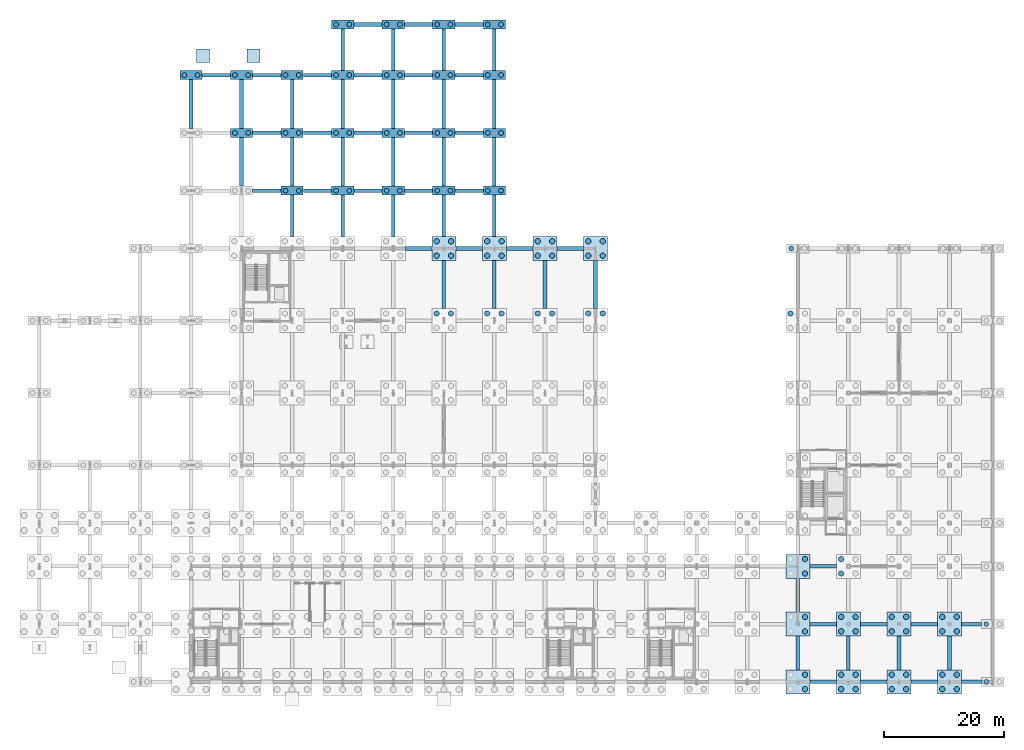
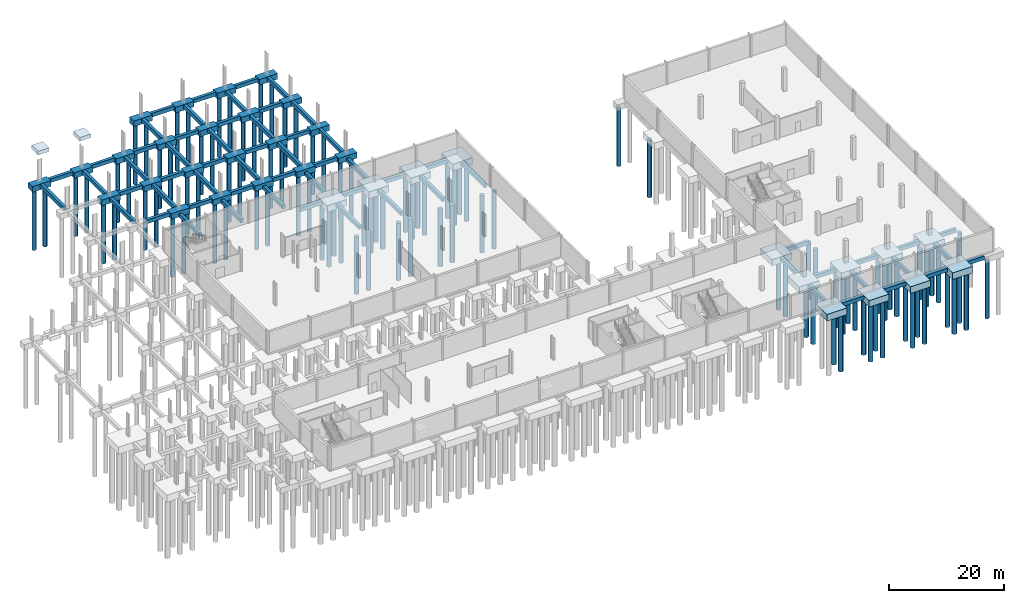
# One storey, part 5 of 29: 104 piles, 100 footings.
"""IFC4 building model written with IfcOpenShell, lengths in metres."""

from ifc_helpers import new_model, si_unit, direction, frame, origin, origin_2d, place, context, subcontext, project, spatial, rectangle, circle, extrude, material, material_profile, profile_set, type_object, element, save


model = new_model("IFC4")

# Units and contexts
model_context = context("Model", 3, precision=1e-05, world=origin(), true_north=direction((0.0, 1.0)))
body_context = subcontext(model_context, "Body", "Model", "MODEL_VIEW")
ifc_project = project(units=[si_unit("LENGTHUNIT", "METRE"), si_unit("AREAUNIT", "SQUARE_METRE"), si_unit("VOLUMEUNIT", "CUBIC_METRE"), si_unit("PLANEANGLEUNIT", "RADIAN"), si_unit("MASSUNIT", "GRAM", prefix="KILO")], contexts=[model_context])

# Site, building, storey
site_placement = place(None, origin())
site = spatial("IfcSite", under=ifc_project, at=site_placement, CompositionType="ELEMENT")
building_placement = place(site_placement, origin())
building = spatial("IfcBuilding", under=site, at=building_placement, Name="Veltarok Museum of Natural Sciences", CompositionType="ELEMENT")
storey_placement = place(building_placement, frame((0.0, 0.0, -4.800048828125)))
storey = spatial("IfcBuildingStorey", under=building, at=storey_placement, Name="B1", CompositionType="ELEMENT", Elevation=-4.800048828125)

# Piles
ifc_material = material(Name="Concrete C35/45", Category="concrete")
ifc_material_profile_1 = material_profile(ifc_material, circle(Radius=0.39990234375, at=origin_2d()), Name="BP D800")
ifc_profile_set_1 = profile_set([ifc_material_profile_1], Name="Concrete C35/45")
pile_type_1 = type_object("IfcPileType", Name="Bored Bedrock Pile D800", PredefinedType="BORED", material=ifc_profile_set_1)
for number, where, z_axis, x_axis, name in (
    (1, (30.5, 100.800048828125, -1.099853515625), (0.0, 0.0, -1.0), (1.0, 0.0, 0.0), "Bored Pile BP-800 97"),
    (2, (32.699951171875, 100.800048828125, -1.099853515625), (0.0, 0.0, -1.0), (1.0, 0.0, 0.0), "Bored Pile BP-800 98"),
    (3, (38.89990234375, 91.199951171875, -1.099853515625), (0.0, 0.0, -1.0), (1.0, 0.0, 0.0), "Bored Pile BP-800 139"),
    (4, (41.10009765625, 91.199951171875, -1.099853515625), (0.0, 0.0, -1.0), (1.0, 0.0, 0.0), "Bored Pile BP-800 140"),
    (5, (38.89990234375, 100.800048828125, -1.099853515625), (0.0, 0.0, -1.0), (1.0, 0.0, 0.0), "Bored Pile BP-800 141"),
    (6, (41.10009765625, 100.800048828125, -1.099853515625), (0.0, 0.0, -1.0), (1.0, 0.0, 0.0), "Bored Pile BP-800 142"),
    (7, (47.300048828125, 81.60009765625, -1.099853515625), (0.0, 0.0, -1.0), (1.0, 0.0, 0.0), "Bored Pile BP-800 181"),
    (8, (49.5, 81.60009765625, -1.099853515625), (0.0, 0.0, -1.0), (1.0, 0.0, 0.0), "Bored Pile BP-800 182"),
    (9, (47.300048828125, 91.199951171875, -1.099853515625), (0.0, 0.0, -1.0), (1.0, 0.0, 0.0), "Bored Pile BP-800 183"),
    (10, (49.5, 91.199951171875, -1.099853515625), (0.0, 0.0, -1.0), (1.0, 0.0, 0.0), "Bored Pile BP-800 184"),
    (11, (47.300048828125, 100.800048828125, -1.099853515625), (0.0, 0.0, -1.0), (1.0, 0.0, 0.0), "Bored Pile BP-800 185"),
    (12, (49.5, 100.800048828125, -1.099853515625), (0.0, 0.0, -1.0), (1.0, 0.0, 0.0), "Bored Pile BP-800 186"),
    (13, (55.699951171875, 81.60009765625, -1.099853515625), (0.0, 0.0, -1.0), (1.0, 0.0, 0.0), "Bored Pile BP-800 225"),
    (14, (57.89990234375, 81.60009765625, -1.099853515625), (0.0, 0.0, -1.0), (1.0, 0.0, 0.0), "Bored Pile BP-800 226"),
    (15, (55.699951171875, 91.199951171875, -1.099853515625), (0.0, 0.0, -1.0), (1.0, 0.0, 0.0), "Bored Pile BP-800 227"),
    (16, (57.89990234375, 91.199951171875, -1.099853515625), (0.0, 0.0, -1.0), (1.0, 0.0, 0.0), "Bored Pile BP-800 228"),
    (17, (55.699951171875, 100.800048828125, -1.099853515625), (0.0, 0.0, -1.0), (1.0, 0.0, 0.0), "Bored Pile BP-800 229"),
    (18, (57.89990234375, 100.800048828125, -1.099853515625), (0.0, 0.0, -1.0), (1.0, 0.0, 0.0), "Bored Pile BP-800 230"),
    (19, (55.699951171875, 109.199951171875, -1.099853515625), (0.0, 0.0, -1.0), (1.0, 0.0, 0.0), "Bored Pile BP-800 231"),
    (20, (57.89990234375, 109.199951171875, -1.099853515625), (0.0, 0.0, -1.0), (1.0, 0.0, 0.0), "Bored Pile BP-800 232"),
    (21, (64.10009765625, 81.60009765625, -1.099853515625), (0.0, 0.0, -1.0), (1.0, 0.0, 0.0), "Bored Pile BP-800 271"),
    (22, (66.300048828125, 81.60009765625, -1.099853515625), (0.0, 0.0, -1.0), (1.0, 0.0, 0.0), "Bored Pile BP-800 272"),
    (23, (64.10009765625, 91.199951171875, -1.099853515625), (0.0, 0.0, -1.0), (1.0, 0.0, 0.0), "Bored Pile BP-800 273"),
    (24, (66.300048828125, 91.199951171875, -1.099853515625), (0.0, 0.0, -1.0), (1.0, 0.0, 0.0), "Bored Pile BP-800 274"),
    (25, (64.10009765625, 100.800048828125, -1.099853515625), (0.0, 0.0, -1.0), (1.0, 0.0, 0.0), "Bored Pile BP-800 275"),
    (26, (66.300048828125, 100.800048828125, -1.099853515625), (0.0, 0.0, -1.0), (1.0, 0.0, 0.0), "Bored Pile BP-800 276"),
    (27, (64.10009765625, 109.199951171875, -1.099853515625), (0.0, 0.0, -1.0), (1.0, 0.0, 0.0), "Bored Pile BP-800 277"),
    (28, (66.300048828125, 109.199951171875, -1.099853515625), (0.0, 0.0, -1.0), (1.0, 0.0, 0.0), "Bored Pile BP-800 278"),
    (29, (72.5, 81.60009765625, -1.099853515625), (0.0, 0.0, -1.0), (1.0, 0.0, 0.0), "Bored Pile BP-800 317"),
    (30, (74.699951171875, 81.60009765625, -1.099853515625), (0.0, 0.0, -1.0), (1.0, 0.0, 0.0), "Bored Pile BP-800 318"),
    (31, (72.5, 91.199951171875, -1.099853515625), (0.0, 0.0, -1.0), (1.0, 0.0, 0.0), "Bored Pile BP-800 319"),
    (32, (74.699951171875, 91.199951171875, -1.099853515625), (0.0, 0.0, -1.0), (1.0, 0.0, 0.0), "Bored Pile BP-800 320"),
    (33, (72.5, 100.800048828125, -1.099853515625), (0.0, 0.0, -1.0), (1.0, 0.0, 0.0), "Bored Pile BP-800 321"),
    (34, (74.699951171875, 100.800048828125, -1.099853515625), (0.0, 0.0, -1.0), (1.0, 0.0, 0.0), "Bored Pile BP-800 322"),
    (35, (72.5, 109.199951171875, -1.099853515625), (0.0, 0.0, -1.0), (1.0, 0.0, 0.0), "Bored Pile BP-800 323"),
    (36, (74.699951171875, 109.199951171875, -1.099853515625), (0.0, 0.0, -1.0), (1.0, 0.0, 0.0), "Bored Pile BP-800 324"),
    (37, (80.89990234375, 81.60009765625, -1.099853515625), (0.0, 0.0, -1.0), (1.0, 0.0, 0.0), "Bored Pile BP-800 363"),
    (38, (83.10009765625, 81.60009765625, -1.099853515625), (0.0, 0.0, -1.0), (1.0, 0.0, 0.0), "Bored Pile BP-800 364"),
    (39, (80.89990234375, 91.199951171875, -1.099853515625), (0.0, 0.0, -1.0), (1.0, 0.0, 0.0), "Bored Pile BP-800 365"),
    (40, (83.10009765625, 91.199951171875, -1.099853515625), (0.0, 0.0, -1.0), (1.0, 0.0, 0.0), "Bored Pile BP-800 366"),
    (41, (80.89990234375, 100.800048828125, -1.099853515625), (0.0, 0.0, -1.0), (1.0, 0.0, 0.0), "Bored Pile BP-800 367"),
    (42, (83.10009765625, 100.800048828125, -1.099853515625), (0.0, 0.0, -1.0), (1.0, 0.0, 0.0), "Bored Pile BP-800 368"),
    (43, (80.89990234375, 109.199951171875, -1.099853515625), (0.0, 0.0, -1.0), (1.0, 0.0, 0.0), "Bored Pile BP-800 369"),
    (44, (83.10009765625, 109.199951171875, -1.099853515625), (0.0, 0.0, -1.0), (1.0, 0.0, 0.0), "Bored Pile BP-800 370"),
):
    element("IfcPile", number, at=place(storey_placement, frame(where, z_axis=z_axis, x_axis=x_axis)), inside=storey, type_object=pile_type_1, Name=name, PredefinedType="BORED", context=body_context, shape_type="SweptSolid", body=[
        extrude(circle(Radius=0.39990234375, at=origin_2d()), origin(), (0.0, 0.0, 1.0), 12.89990234375),
    ])
for number, where, z_axis, x_axis, name in (
    (45, (131.300048828125, 72.0, -1.599853515625), (0.0, 0.0, -1.0), (1.0, 0.0, 0.0), "Bored Pile BP-800 529"),
    (46, (163.699951171875, 0.0, -1.599853515625), (0.0, 0.0, -1.0), (1.0, 0.0, 0.0), "Bored Pile BP-800 621"),
    (47, (163.699951171875, 9.60009765625, -1.599853515625), (0.0, 0.0, -1.0), (1.0, 0.0, 0.0), "Bored Pile BP-800 623"),
):
    element("IfcPile", number, at=place(storey_placement, frame(where, z_axis=z_axis, x_axis=x_axis)), inside=storey, type_object=pile_type_1, Name=name, PredefinedType="BORED", context=body_context, shape_type="SweptSolid", body=[
        extrude(circle(Radius=0.39990234375, at=origin_2d()), origin(), (0.0, 0.0, 1.0), 12.39990234375),
    ])
ifc_material_profile_2 = material_profile(ifc_material, circle(Radius=0.449951171875, at=origin_2d()), Name="BP D900")
ifc_profile_set_2 = profile_set([ifc_material_profile_2], Name="Concrete C35/45")
pile_type_2 = type_object("IfcPileType", Name="Bored Bedrock Pile D900", PredefinedType="BORED", material=ifc_profile_set_2)
for number, where, z_axis, x_axis, name in (
    (48, (72.39990234375, 61.199951171875, -1.800048828125), (0.0, 0.0, -1.0), (1.0, 0.0, 0.0), "Bored Pile BP-900 311"),
    (49, (74.800048828125, 61.199951171875, -1.800048828125), (0.0, 0.0, -1.0), (1.0, 0.0, 0.0), "Bored Pile BP-900 312"),
    (50, (72.39990234375, 70.800048828125, -1.800048828125), (0.0, 0.0, -1.0), (1.0, 0.0, 0.0), "Bored Pile BP-900 313"),
    (51, (74.800048828125, 70.800048828125, -1.800048828125), (0.0, 0.0, -1.0), (1.0, 0.0, 0.0), "Bored Pile BP-900 314"),
    (52, (72.39990234375, 73.199951171875, -1.800048828125), (0.0, 0.0, -1.0), (1.0, 0.0, 0.0), "Bored Pile BP-900 315"),
    (53, (74.800048828125, 73.199951171875, -1.800048828125), (0.0, 0.0, -1.0), (1.0, 0.0, 0.0), "Bored Pile BP-900 316"),
    (54, (80.800048828125, 61.199951171875, -1.800048828125), (0.0, 0.0, -1.0), (1.0, 0.0, 0.0), "Bored Pile BP-900 357"),
    (55, (83.199951171875, 61.199951171875, -1.800048828125), (0.0, 0.0, -1.0), (1.0, 0.0, 0.0), "Bored Pile BP-900 358"),
    (56, (80.800048828125, 70.800048828125, -1.800048828125), (0.0, 0.0, -1.0), (1.0, 0.0, 0.0), "Bored Pile BP-900 359"),
    (57, (83.199951171875, 70.800048828125, -1.800048828125), (0.0, 0.0, -1.0), (1.0, 0.0, 0.0), "Bored Pile BP-900 360"),
    (58, (80.800048828125, 73.199951171875, -1.800048828125), (0.0, 0.0, -1.0), (1.0, 0.0, 0.0), "Bored Pile BP-900 361"),
    (59, (83.199951171875, 73.199951171875, -1.800048828125), (0.0, 0.0, -1.0), (1.0, 0.0, 0.0), "Bored Pile BP-900 362"),
    (60, (89.199951171875, 61.199951171875, -1.800048828125), (0.0, 0.0, -1.0), (1.0, 0.0, 0.0), "Bored Pile BP-900 403"),
    (61, (91.60009765625, 61.199951171875, -1.800048828125), (0.0, 0.0, -1.0), (1.0, 0.0, 0.0), "Bored Pile BP-900 404"),
    (62, (89.199951171875, 70.800048828125, -1.800048828125), (0.0, 0.0, -1.0), (1.0, 0.0, 0.0), "Bored Pile BP-900 405"),
    (63, (91.60009765625, 70.800048828125, -1.800048828125), (0.0, 0.0, -1.0), (1.0, 0.0, 0.0), "Bored Pile BP-900 406"),
    (64, (89.199951171875, 73.199951171875, -1.800048828125), (0.0, 0.0, -1.0), (1.0, 0.0, 0.0), "Bored Pile BP-900 407"),
    (65, (91.60009765625, 73.199951171875, -1.800048828125), (0.0, 0.0, -1.0), (1.0, 0.0, 0.0), "Bored Pile BP-900 408"),
    (66, (97.60009765625, 61.199951171875, -1.800048828125), (0.0, 0.0, -1.0), (1.0, 0.0, 0.0), "Bored Pile BP-900 441"),
    (67, (100.0, 61.199951171875, -1.800048828125), (0.0, 0.0, -1.0), (1.0, 0.0, 0.0), "Bored Pile BP-900 442"),
    (68, (97.60009765625, 70.800048828125, -1.800048828125), (0.0, 0.0, -1.0), (1.0, 0.0, 0.0), "Bored Pile BP-900 443"),
    (69, (100.0, 70.800048828125, -1.800048828125), (0.0, 0.0, -1.0), (1.0, 0.0, 0.0), "Bored Pile BP-900 444"),
    (70, (97.60009765625, 73.199951171875, -1.800048828125), (0.0, 0.0, -1.0), (1.0, 0.0, 0.0), "Bored Pile BP-900 445"),
    (71, (100.0, 73.199951171875, -1.800048828125), (0.0, 0.0, -1.0), (1.0, 0.0, 0.0), "Bored Pile BP-900 446"),
    (72, (133.60009765625, -1.199951171875, -1.800048828125), (0.0, 0.0, -1.0), (1.0, 0.0, 0.0), "Bored Pile BP-900 502"),
    (73, (133.60009765625, 1.199951171875, -1.800048828125), (0.0, 0.0, -1.0), (1.0, 0.0, 0.0), "Bored Pile BP-900 504"),
    (74, (133.60009765625, 8.39990234375, -1.800048828125), (0.0, 0.0, -1.0), (1.0, 0.0, 0.0), "Bored Pile BP-900 506"),
    (75, (133.60009765625, 10.800048828125, -1.800048828125), (0.0, 0.0, -1.0), (1.0, 0.0, 0.0), "Bored Pile BP-900 508"),
    (76, (133.60009765625, 18.0, -1.800048828125), (0.0, 0.0, -1.0), (1.0, 0.0, 0.0), "Bored Pile BP-900 510"),
    (77, (133.60009765625, 20.39990234375, -1.800048828125), (0.0, 0.0, -1.0), (1.0, 0.0, 0.0), "Bored Pile BP-900 512"),
    (78, (131.199951171875, 61.199951171875, -1.800048828125), (0.0, 0.0, -1.0), (1.0, 0.0, 0.0), "Bored Pile BP-900 527"),
    (79, (139.60009765625, -1.199951171875, -1.800048828125), (0.0, 0.0, -1.0), (1.0, 0.0, 0.0), "Bored Pile BP-900 531"),
    (80, (142.0, -1.199951171875, -1.800048828125), (0.0, 0.0, -1.0), (1.0, 0.0, 0.0), "Bored Pile BP-900 532"),
    (81, (139.60009765625, 1.199951171875, -1.800048828125), (0.0, 0.0, -1.0), (1.0, 0.0, 0.0), "Bored Pile BP-900 533"),
    (82, (142.0, 1.199951171875, -1.800048828125), (0.0, 0.0, -1.0), (1.0, 0.0, 0.0), "Bored Pile BP-900 534"),
    (83, (139.60009765625, 8.39990234375, -1.800048828125), (0.0, 0.0, -1.0), (1.0, 0.0, 0.0), "Bored Pile BP-900 535"),
    (84, (142.0, 8.39990234375, -1.800048828125), (0.0, 0.0, -1.0), (1.0, 0.0, 0.0), "Bored Pile BP-900 536"),
    (85, (139.60009765625, 10.800048828125, -1.800048828125), (0.0, 0.0, -1.0), (1.0, 0.0, 0.0), "Bored Pile BP-900 537"),
    (86, (142.0, 10.800048828125, -1.800048828125), (0.0, 0.0, -1.0), (1.0, 0.0, 0.0), "Bored Pile BP-900 538"),
    (87, (139.60009765625, 18.0, -1.800048828125), (0.0, 0.0, -1.0), (1.0, 0.0, 0.0), "Bored Pile BP-900 539"),
    (88, (139.60009765625, 20.39990234375, -1.800048828125), (0.0, 0.0, -1.0), (1.0, 0.0, 0.0), "Bored Pile BP-900 541"),
    (89, (148.0, -1.199951171875, -1.800048828125), (0.0, 0.0, -1.0), (1.0, 0.0, 0.0), "Bored Pile BP-900 561"),
    (90, (150.39990234375, -1.199951171875, -1.800048828125), (0.0, 0.0, -1.0), (1.0, 0.0, 0.0), "Bored Pile BP-900 562"),
    (91, (148.0, 1.199951171875, -1.800048828125), (0.0, 0.0, -1.0), (1.0, 0.0, 0.0), "Bored Pile BP-900 563"),
    (92, (150.39990234375, 1.199951171875, -1.800048828125), (0.0, 0.0, -1.0), (1.0, 0.0, 0.0), "Bored Pile BP-900 564"),
    (93, (148.0, 8.39990234375, -1.800048828125), (0.0, 0.0, -1.0), (1.0, 0.0, 0.0), "Bored Pile BP-900 565"),
    (94, (150.39990234375, 8.39990234375, -1.800048828125), (0.0, 0.0, -1.0), (1.0, 0.0, 0.0), "Bored Pile BP-900 566"),
    (95, (148.0, 10.800048828125, -1.800048828125), (0.0, 0.0, -1.0), (1.0, 0.0, 0.0), "Bored Pile BP-900 567"),
    (96, (150.39990234375, 10.800048828125, -1.800048828125), (0.0, 0.0, -1.0), (1.0, 0.0, 0.0), "Bored Pile BP-900 568"),
    (97, (156.39990234375, -1.199951171875, -1.800048828125), (0.0, 0.0, -1.0), (1.0, 0.0, 0.0), "Bored Pile BP-900 591"),
    (98, (158.800048828125, -1.199951171875, -1.800048828125), (0.0, 0.0, -1.0), (1.0, 0.0, 0.0), "Bored Pile BP-900 592"),
    (99, (156.39990234375, 1.199951171875, -1.800048828125), (0.0, 0.0, -1.0), (1.0, 0.0, 0.0), "Bored Pile BP-900 593"),
    (100, (158.800048828125, 1.199951171875, -1.800048828125), (0.0, 0.0, -1.0), (1.0, 0.0, 0.0), "Bored Pile BP-900 594"),
    (101, (156.39990234375, 8.39990234375, -1.800048828125), (0.0, 0.0, -1.0), (1.0, 0.0, 0.0), "Bored Pile BP-900 595"),
    (102, (158.800048828125, 8.39990234375, -1.800048828125), (0.0, 0.0, -1.0), (1.0, 0.0, 0.0), "Bored Pile BP-900 596"),
    (103, (156.39990234375, 10.800048828125, -1.800048828125), (0.0, 0.0, -1.0), (1.0, 0.0, 0.0), "Bored Pile BP-900 597"),
    (104, (158.800048828125, 10.800048828125, -1.800048828125), (0.0, 0.0, -1.0), (1.0, 0.0, 0.0), "Bored Pile BP-900 598"),
):
    element("IfcPile", number, at=place(storey_placement, frame(where, z_axis=z_axis, x_axis=x_axis)), inside=storey, type_object=pile_type_2, Name=name, PredefinedType="BORED", context=body_context, shape_type="SweptSolid", body=[
        extrude(circle(Radius=0.449951171875, at=origin_2d()), origin(), (0.0, 0.0, 1.0), 12.199951171875),
    ])

# Footings
footing_type_1 = type_object("IfcFootingType", Name="Canopy Pad Footing 2200x2200x800", PredefinedType="PAD_FOOTING", material=ifc_material)
for number, where, z_axis, x_axis, name in (
    (105, (33.60009765625, 104.0, 4.0), (0.0, 0.0, 1.0), (1.0, 0.0, 0.0), "Canopy Pad Footing CN-N1"),
    (106, (42.0, 104.0, 4.0), (0.0, 0.0, 1.0), (1.0, 0.0, 0.0), "Canopy Pad Footing CN-N2"),
):
    element("IfcFooting", number, at=place(storey_placement, frame(where, z_axis=z_axis, x_axis=x_axis)), inside=storey, type_object=footing_type_1, Name=name, PredefinedType="PAD_FOOTING", context=body_context, shape_type="SweptSolid", body=[
        extrude(rectangle(XDim=2.199951171875, YDim=2.199951171875, at=origin_2d()), origin(), (0.0, 0.0, 1.0), 0.800048828125),
    ])
footing_type_2 = type_object("IfcFootingType", Name="Four-Pile Cap 4000x4000x1400", PredefinedType="PILE_CAP", material=ifc_material)
for number, where, z_axis, x_axis, name in (
    (107, (73.60009765625, 72.0, -1.89990234375), (0.0, 0.0, 1.0), (1.0, 0.0, 0.0), "Pile Cap PC-4P 9/H"),
    (108, (82.0, 72.0, -1.89990234375), (0.0, 0.0, 1.0), (1.0, 0.0, 0.0), "Pile Cap PC-4P 10/H"),
    (109, (90.39990234375, 72.0, -1.89990234375), (0.0, 0.0, 1.0), (1.0, 0.0, 0.0), "Pile Cap PC-4P 11/H"),
    (110, (98.800048828125, 72.0, -1.89990234375), (0.0, 0.0, 1.0), (1.0, 0.0, 0.0), "Pile Cap PC-4P 12/H"),
    (111, (132.39990234375, 0.0, -1.89990234375), (0.0, 0.0, 1.0), (1.0, 0.0, 0.0), "Pile Cap PC-4P 16/A"),
    (112, (132.39990234375, 9.60009765625, -1.89990234375), (0.0, 0.0, 1.0), (1.0, 0.0, 0.0), "Pile Cap PC-4P 16/B"),
    (113, (132.39990234375, 19.199951171875, -1.89990234375), (0.0, 0.0, 1.0), (1.0, 0.0, 0.0), "Pile Cap PC-4P 16/C"),
    (114, (140.800048828125, 0.0, -1.89990234375), (0.0, 0.0, 1.0), (1.0, 0.0, 0.0), "Pile Cap PC-4P 17/A"),
    (115, (140.800048828125, 9.60009765625, -1.89990234375), (0.0, 0.0, 1.0), (1.0, 0.0, 0.0), "Pile Cap PC-4P 17/B"),
    (116, (149.199951171875, 0.0, -1.89990234375), (0.0, 0.0, 1.0), (1.0, 0.0, 0.0), "Pile Cap PC-4P 18/A"),
    (117, (149.199951171875, 9.60009765625, -1.89990234375), (0.0, 0.0, 1.0), (1.0, 0.0, 0.0), "Pile Cap PC-4P 18/B"),
    (118, (157.60009765625, 0.0, -1.89990234375), (0.0, 0.0, 1.0), (1.0, 0.0, 0.0), "Pile Cap PC-4P 19/A"),
    (119, (157.60009765625, 9.60009765625, -1.89990234375), (0.0, 0.0, 1.0), (1.0, 0.0, 0.0), "Pile Cap PC-4P 19/B"),
):
    element("IfcFooting", number, at=place(storey_placement, frame(where, z_axis=z_axis, x_axis=x_axis)), inside=storey, type_object=footing_type_2, Name=name, PredefinedType="PILE_CAP", context=body_context, shape_type="SweptSolid", body=[
        extrude(rectangle(XDim=4.0, YDim=4.0, at=origin_2d()), origin(), (0.0, 0.0, 1.0), 1.39990234375),
    ])
footing_type_3 = type_object("IfcFootingType", Name="Ground Tie Beam 600x800 L3350", PredefinedType="FOOTING_BEAM", material=ifc_material)
for number, where, z_axis, x_axis, name in (
    (120, (161.27490234375, 0.0, -1.2998046875), (0.0, 0.0, 1.0), (1.0, 0.0, 0.0), "Ground Tie Beam GB-3350 19-20/A"),
    (121, (161.27490234375, 9.60009765625, -1.2998046875), (0.0, 0.0, 1.0), (1.0, 0.0, 0.0), "Ground Tie Beam GB-3350 19-20/B"),
):
    element("IfcFooting", number, at=place(storey_placement, frame(where, z_axis=z_axis, x_axis=x_axis)), inside=storey, type_object=footing_type_3, Name=name, PredefinedType="FOOTING_BEAM", context=body_context, shape_type="SweptSolid", body=[
        extrude(rectangle(XDim=3.35009765625, YDim=0.60009765625, at=origin_2d()), origin(), (0.0, 0.0, 1.0), 0.800048828125),
    ])
footing_type_4 = type_object("IfcFootingType", Name="Ground Tie Beam 600x800 L4400", PredefinedType="FOOTING_BEAM", material=ifc_material)
for number, where, z_axis, x_axis, name in (
    (122, (136.60009765625, 0.0, -1.2998046875), (0.0, 0.0, 1.0), (1.0, 0.0, 0.0), "Ground Tie Beam GB-4400 16-17/A"),
    (123, (145.0, 0.0, -1.2998046875), (0.0, 0.0, 1.0), (1.0, 0.0, 0.0), "Ground Tie Beam GB-4400 17-18/A"),
    (124, (153.39990234375, 0.0, -1.2998046875), (0.0, 0.0, 1.0), (1.0, 0.0, 0.0), "Ground Tie Beam GB-4400 18-19/A"),
    (125, (136.60009765625, 9.60009765625, -1.2998046875), (0.0, 0.0, 1.0), (1.0, 0.0, 0.0), "Ground Tie Beam GB-4400 16-17/B"),
    (126, (145.0, 9.60009765625, -1.2998046875), (0.0, 0.0, 1.0), (1.0, 0.0, 0.0), "Ground Tie Beam GB-4400 17-18/B"),
    (127, (153.39990234375, 9.60009765625, -1.2998046875), (0.0, 0.0, 1.0), (1.0, 0.0, 0.0), "Ground Tie Beam GB-4400 18-19/B"),
    (128, (136.60009765625, 19.199951171875, -1.2998046875), (0.0, 0.0, 1.0), (1.0, 0.0, 0.0), "Ground Tie Beam GB-4400 16-17/C"),
    (129, (69.39990234375, 72.0, -1.2998046875), (0.0, 0.0, 1.0), (1.0, 0.0, 0.0), "Ground Tie Beam GB-4400 8-9/H"),
    (130, (77.800048828125, 72.0, -1.2998046875), (0.0, 0.0, 1.0), (1.0, 0.0, 0.0), "Ground Tie Beam GB-4400 9-10/H"),
    (131, (86.199951171875, 72.0, -1.2998046875), (0.0, 0.0, 1.0), (1.0, 0.0, 0.0), "Ground Tie Beam GB-4400 10-11/H"),
    (132, (94.60009765625, 72.0, -1.2998046875), (0.0, 0.0, 1.0), (1.0, 0.0, 0.0), "Ground Tie Beam GB-4400 11-12/H"),
):
    element("IfcFooting", number, at=place(storey_placement, frame(where, z_axis=z_axis, x_axis=x_axis)), inside=storey, type_object=footing_type_4, Name=name, PredefinedType="FOOTING_BEAM", context=body_context, shape_type="SweptSolid", body=[
        extrude(rectangle(XDim=4.39990234375, YDim=0.60009765625, at=origin_2d()), origin(), (0.0, 0.0, 1.0), 0.800048828125),
    ])
footing_type_5 = type_object("IfcFootingType", Name="Ground Tie Beam 600x800 L4700", PredefinedType="FOOTING_BEAM", material=ifc_material)
for number, where, z_axis, x_axis, name in (
    (133, (44.199951171875, 81.60009765625, -0.7998046875), (0.0, 0.0, 1.0), (1.0, 0.0, 0.0), "Ground Tie Beam GB-4700 5-6/J"),
    (134, (52.60009765625, 81.60009765625, -0.7998046875), (0.0, 0.0, 1.0), (1.0, 0.0, 0.0), "Ground Tie Beam GB-4700 6-7/J"),
    (135, (61.0, 81.60009765625, -0.7998046875), (0.0, 0.0, 1.0), (1.0, 0.0, 0.0), "Ground Tie Beam GB-4700 7-8/J"),
    (136, (69.39990234375, 81.60009765625, -0.7998046875), (0.0, 0.0, 1.0), (1.0, 0.0, 0.0), "Ground Tie Beam GB-4700 8-9/J"),
    (137, (77.800048828125, 81.60009765625, -0.7998046875), (0.0, 0.0, 1.0), (1.0, 0.0, 0.0), "Ground Tie Beam GB-4700 9-10/J"),
    (138, (44.199951171875, 91.199951171875, -0.7998046875), (0.0, 0.0, 1.0), (1.0, 0.0, 0.0), "Ground Tie Beam GB-4700 5-6/K"),
    (139, (52.60009765625, 91.199951171875, -0.7998046875), (0.0, 0.0, 1.0), (1.0, 0.0, 0.0), "Ground Tie Beam GB-4700 6-7/K"),
    (140, (61.0, 91.199951171875, -0.7998046875), (0.0, 0.0, 1.0), (1.0, 0.0, 0.0), "Ground Tie Beam GB-4700 7-8/K"),
    (141, (69.39990234375, 91.199951171875, -0.7998046875), (0.0, 0.0, 1.0), (1.0, 0.0, 0.0), "Ground Tie Beam GB-4700 8-9/K"),
    (142, (77.800048828125, 91.199951171875, -0.7998046875), (0.0, 0.0, 1.0), (1.0, 0.0, 0.0), "Ground Tie Beam GB-4700 9-10/K"),
    (143, (35.800048828125, 100.800048828125, -0.7998046875), (0.0, 0.0, 1.0), (1.0, 0.0, 0.0), "Ground Tie Beam GB-4700 4-5/L"),
    (144, (44.199951171875, 100.800048828125, -0.7998046875), (0.0, 0.0, 1.0), (1.0, 0.0, 0.0), "Ground Tie Beam GB-4700 5-6/L"),
    (145, (52.60009765625, 100.800048828125, -0.7998046875), (0.0, 0.0, 1.0), (1.0, 0.0, 0.0), "Ground Tie Beam GB-4700 6-7/L"),
    (146, (61.0, 100.800048828125, -0.7998046875), (0.0, 0.0, 1.0), (1.0, 0.0, 0.0), "Ground Tie Beam GB-4700 7-8/L"),
    (147, (69.39990234375, 100.800048828125, -0.7998046875), (0.0, 0.0, 1.0), (1.0, 0.0, 0.0), "Ground Tie Beam GB-4700 8-9/L"),
    (148, (77.800048828125, 100.800048828125, -0.7998046875), (0.0, 0.0, 1.0), (1.0, 0.0, 0.0), "Ground Tie Beam GB-4700 9-10/L"),
    (149, (61.0, 109.199951171875, -0.7998046875), (0.0, 0.0, 1.0), (1.0, 0.0, 0.0), "Ground Tie Beam GB-4700 7-8/M"),
    (150, (69.39990234375, 109.199951171875, -0.7998046875), (0.0, 0.0, 1.0), (1.0, 0.0, 0.0), "Ground Tie Beam GB-4700 8-9/M"),
    (151, (77.800048828125, 109.199951171875, -0.7998046875), (0.0, 0.0, 1.0), (1.0, 0.0, 0.0), "Ground Tie Beam GB-4700 9-10/M"),
):
    element("IfcFooting", number, at=place(storey_placement, frame(where, z_axis=z_axis, x_axis=x_axis)), inside=storey, type_object=footing_type_5, Name=name, PredefinedType="FOOTING_BEAM", context=body_context, shape_type="SweptSolid", body=[
        extrude(rectangle(XDim=4.699951171875, YDim=0.60009765625, at=origin_2d()), origin(), (0.0, 0.0, 1.0), 0.800048828125),
    ])
footing_type_6 = type_object("IfcFootingType", Name="Ground Tie Beam 600x800 L5600", PredefinedType="FOOTING_BEAM", material=ifc_material)
for number, where, z_axis, x_axis, name in (
    (152, (132.39990234375, 4.800048828125, -1.2998046875), (0.0, 0.0, 1.0), (0.0, 1.0, 0.0), "Ground Tie Beam GB-5600 16/A-B"),
    (153, (132.39990234375, 14.39990234375, -1.2998046875), (0.0, 0.0, 1.0), (0.0, 1.0, 0.0), "Ground Tie Beam GB-5600 16/B-C"),
    (154, (140.800048828125, 4.800048828125, -1.2998046875), (0.0, 0.0, 1.0), (0.0, 1.0, 0.0), "Ground Tie Beam GB-5600 17/A-B"),
    (155, (149.199951171875, 4.800048828125, -1.2998046875), (0.0, 0.0, 1.0), (0.0, 1.0, 0.0), "Ground Tie Beam GB-5600 18/A-B"),
    (156, (157.60009765625, 4.800048828125, -1.2998046875), (0.0, 0.0, 1.0), (0.0, 1.0, 0.0), "Ground Tie Beam GB-5600 19/A-B"),
):
    element("IfcFooting", number, at=place(storey_placement, frame(where, z_axis=z_axis, x_axis=x_axis)), inside=storey, type_object=footing_type_6, Name=name, PredefinedType="FOOTING_BEAM", context=body_context, shape_type="SweptSolid", body=[
        extrude(rectangle(XDim=5.60009765625, YDim=0.60009765625, at=origin_2d()), origin(), (0.0, 0.0, 1.0), 0.800048828125),
    ])
footing_type_7 = type_object("IfcFootingType", Name="Ground Tie Beam 600x800 L6850", PredefinedType="FOOTING_BEAM", material=ifc_material)
for number, where, z_axis, x_axis, name in (
    (157, (48.39990234375, 77.425048828125, -1.2998046875), (0.0, 0.0, 1.0), (0.0, 1.0, 0.0), "Ground Tie Beam GB-6850 6/H-J"),
    (158, (56.800048828125, 77.425048828125, -1.2998046875), (0.0, 0.0, 1.0), (0.0, 1.0, 0.0), "Ground Tie Beam GB-6850 7/H-J"),
    (159, (65.199951171875, 77.425048828125, -1.2998046875), (0.0, 0.0, 1.0), (0.0, 1.0, 0.0), "Ground Tie Beam GB-6850 8/H-J"),
    (160, (73.60009765625, 77.425048828125, -1.2998046875), (0.0, 0.0, 1.0), (0.0, 1.0, 0.0), "Ground Tie Beam GB-6850 9/H-J"),
    (161, (82.0, 77.425048828125, -1.2998046875), (0.0, 0.0, 1.0), (0.0, 1.0, 0.0), "Ground Tie Beam GB-6850 10/H-J"),
):
    element("IfcFooting", number, at=place(storey_placement, frame(where, z_axis=z_axis, x_axis=x_axis)), inside=storey, type_object=footing_type_7, Name=name, PredefinedType="FOOTING_BEAM", context=body_context, shape_type="SweptSolid", body=[
        extrude(rectangle(XDim=6.85009765625, YDim=0.60009765625, at=origin_2d()), origin(), (0.0, 0.0, 1.0), 0.800048828125),
    ])
footing_type_8 = type_object("IfcFootingType", Name="Ground Tie Beam 600x800 L6900", PredefinedType="FOOTING_BEAM", material=ifc_material)
for number, where, z_axis, x_axis, name in (
    (162, (56.800048828125, 105.0, -0.7998046875), (0.0, 0.0, 1.0), (0.0, 1.0, 0.0), "Ground Tie Beam GB-6900 7/L-M"),
    (163, (65.199951171875, 105.0, -0.7998046875), (0.0, 0.0, 1.0), (0.0, 1.0, 0.0), "Ground Tie Beam GB-6900 8/L-M"),
    (164, (73.60009765625, 105.0, -0.7998046875), (0.0, 0.0, 1.0), (0.0, 1.0, 0.0), "Ground Tie Beam GB-6900 9/L-M"),
    (165, (82.0, 105.0, -0.7998046875), (0.0, 0.0, 1.0), (0.0, 1.0, 0.0), "Ground Tie Beam GB-6900 10/L-M"),
):
    element("IfcFooting", number, at=place(storey_placement, frame(where, z_axis=z_axis, x_axis=x_axis)), inside=storey, type_object=footing_type_8, Name=name, PredefinedType="FOOTING_BEAM", context=body_context, shape_type="SweptSolid", body=[
        extrude(rectangle(XDim=6.89990234375, YDim=0.60009765625, at=origin_2d()), origin(), (0.0, 0.0, 1.0), 0.800048828125),
    ])
footing_type_9 = type_object("IfcFootingType", Name="Ground Tie Beam 600x800 L8000", PredefinedType="FOOTING_BEAM", material=ifc_material)
for number, where, z_axis, x_axis, name in (
    (166, (73.60009765625, 66.0, -1.2998046875), (0.0, 0.0, 1.0), (0.0, 1.0, 0.0), "Ground Tie Beam GB-8000 9/G-H"),
    (167, (82.0, 66.0, -1.2998046875), (0.0, 0.0, 1.0), (0.0, 1.0, 0.0), "Ground Tie Beam GB-8000 10/G-H"),
    (168, (90.39990234375, 66.0, -1.2998046875), (0.0, 0.0, 1.0), (0.0, 1.0, 0.0), "Ground Tie Beam GB-8000 11/G-H"),
    (169, (98.800048828125, 66.0, -1.2998046875), (0.0, 0.0, 1.0), (0.0, 1.0, 0.0), "Ground Tie Beam GB-8000 12/G-H"),
):
    element("IfcFooting", number, at=place(storey_placement, frame(where, z_axis=z_axis, x_axis=x_axis)), inside=storey, type_object=footing_type_9, Name=name, PredefinedType="FOOTING_BEAM", context=body_context, shape_type="SweptSolid", body=[
        extrude(rectangle(XDim=8.0, YDim=0.60009765625, at=origin_2d()), origin(), (0.0, 0.0, 1.0), 0.800048828125),
    ])
footing_type_10 = type_object("IfcFootingType", Name="Ground Tie Beam 600x800 L8100", PredefinedType="FOOTING_BEAM", material=ifc_material)
for number, where, z_axis, x_axis, name in (
    (170, (31.60009765625, 96.0, -0.7998046875), (0.0, 0.0, 1.0), (0.0, 1.0, 0.0), "Ground Tie Beam GB-8100 4/K-L"),
    (171, (40.0, 86.39990234375, -0.7998046875), (0.0, 0.0, 1.0), (0.0, 1.0, 0.0), "Ground Tie Beam GB-8100 5/J-K"),
    (172, (40.0, 96.0, -0.7998046875), (0.0, 0.0, 1.0), (0.0, 1.0, 0.0), "Ground Tie Beam GB-8100 5/K-L"),
    (173, (48.39990234375, 86.39990234375, -0.7998046875), (0.0, 0.0, 1.0), (0.0, 1.0, 0.0), "Ground Tie Beam GB-8100 6/J-K"),
    (174, (48.39990234375, 96.0, -0.7998046875), (0.0, 0.0, 1.0), (0.0, 1.0, 0.0), "Ground Tie Beam GB-8100 6/K-L"),
    (175, (56.800048828125, 86.39990234375, -0.7998046875), (0.0, 0.0, 1.0), (0.0, 1.0, 0.0), "Ground Tie Beam GB-8100 7/J-K"),
    (176, (56.800048828125, 96.0, -0.7998046875), (0.0, 0.0, 1.0), (0.0, 1.0, 0.0), "Ground Tie Beam GB-8100 7/K-L"),
    (177, (65.199951171875, 86.39990234375, -0.7998046875), (0.0, 0.0, 1.0), (0.0, 1.0, 0.0), "Ground Tie Beam GB-8100 8/J-K"),
    (178, (65.199951171875, 96.0, -0.7998046875), (0.0, 0.0, 1.0), (0.0, 1.0, 0.0), "Ground Tie Beam GB-8100 8/K-L"),
    (179, (73.60009765625, 86.39990234375, -0.7998046875), (0.0, 0.0, 1.0), (0.0, 1.0, 0.0), "Ground Tie Beam GB-8100 9/J-K"),
    (180, (73.60009765625, 96.0, -0.7998046875), (0.0, 0.0, 1.0), (0.0, 1.0, 0.0), "Ground Tie Beam GB-8100 9/K-L"),
    (181, (82.0, 86.39990234375, -0.7998046875), (0.0, 0.0, 1.0), (0.0, 1.0, 0.0), "Ground Tie Beam GB-8100 10/J-K"),
    (182, (82.0, 96.0, -0.7998046875), (0.0, 0.0, 1.0), (0.0, 1.0, 0.0), "Ground Tie Beam GB-8100 10/K-L"),
):
    element("IfcFooting", number, at=place(storey_placement, frame(where, z_axis=z_axis, x_axis=x_axis)), inside=storey, type_object=footing_type_10, Name=name, PredefinedType="FOOTING_BEAM", context=body_context, shape_type="SweptSolid", body=[
        extrude(rectangle(XDim=8.10009765625, YDim=0.60009765625, at=origin_2d()), origin(), (0.0, 0.0, 1.0), 0.800048828125),
    ])
footing_type_11 = type_object("IfcFootingType", Name="Two-Pile Cap 3700x1500x1200", PredefinedType="PILE_CAP", material=ifc_material)
for number, where, z_axis, x_axis, name in (
    (183, (31.60009765625, 100.800048828125, -1.19970703125), (0.0, 0.0, 1.0), (1.0, 0.0, 0.0), "Pile Cap PC-2P 4/L"),
    (184, (40.0, 91.199951171875, -1.19970703125), (0.0, 0.0, 1.0), (1.0, 0.0, 0.0), "Pile Cap PC-2P 5/K"),
    (185, (40.0, 100.800048828125, -1.19970703125), (0.0, 0.0, 1.0), (1.0, 0.0, 0.0), "Pile Cap PC-2P 5/L"),
    (186, (48.39990234375, 81.60009765625, -1.19970703125), (0.0, 0.0, 1.0), (1.0, 0.0, 0.0), "Pile Cap PC-2P 6/J"),
    (187, (48.39990234375, 91.199951171875, -1.19970703125), (0.0, 0.0, 1.0), (1.0, 0.0, 0.0), "Pile Cap PC-2P 6/K"),
    (188, (48.39990234375, 100.800048828125, -1.19970703125), (0.0, 0.0, 1.0), (1.0, 0.0, 0.0), "Pile Cap PC-2P 6/L"),
    (189, (56.800048828125, 81.60009765625, -1.19970703125), (0.0, 0.0, 1.0), (1.0, 0.0, 0.0), "Pile Cap PC-2P 7/J"),
    (190, (56.800048828125, 91.199951171875, -1.19970703125), (0.0, 0.0, 1.0), (1.0, 0.0, 0.0), "Pile Cap PC-2P 7/K"),
    (191, (56.800048828125, 100.800048828125, -1.19970703125), (0.0, 0.0, 1.0), (1.0, 0.0, 0.0), "Pile Cap PC-2P 7/L"),
    (192, (56.800048828125, 109.199951171875, -1.19970703125), (0.0, 0.0, 1.0), (1.0, 0.0, 0.0), "Pile Cap PC-2P 7/M"),
    (193, (65.199951171875, 81.60009765625, -1.19970703125), (0.0, 0.0, 1.0), (1.0, 0.0, 0.0), "Pile Cap PC-2P 8/J"),
    (194, (65.199951171875, 91.199951171875, -1.19970703125), (0.0, 0.0, 1.0), (1.0, 0.0, 0.0), "Pile Cap PC-2P 8/K"),
    (195, (65.199951171875, 100.800048828125, -1.19970703125), (0.0, 0.0, 1.0), (1.0, 0.0, 0.0), "Pile Cap PC-2P 8/L"),
    (196, (65.199951171875, 109.199951171875, -1.19970703125), (0.0, 0.0, 1.0), (1.0, 0.0, 0.0), "Pile Cap PC-2P 8/M"),
    (197, (73.60009765625, 81.60009765625, -1.19970703125), (0.0, 0.0, 1.0), (1.0, 0.0, 0.0), "Pile Cap PC-2P 9/J"),
    (198, (73.60009765625, 91.199951171875, -1.19970703125), (0.0, 0.0, 1.0), (1.0, 0.0, 0.0), "Pile Cap PC-2P 9/K"),
    (199, (73.60009765625, 100.800048828125, -1.19970703125), (0.0, 0.0, 1.0), (1.0, 0.0, 0.0), "Pile Cap PC-2P 9/L"),
    (200, (73.60009765625, 109.199951171875, -1.19970703125), (0.0, 0.0, 1.0), (1.0, 0.0, 0.0), "Pile Cap PC-2P 9/M"),
    (201, (82.0, 81.60009765625, -1.19970703125), (0.0, 0.0, 1.0), (1.0, 0.0, 0.0), "Pile Cap PC-2P 10/J"),
    (202, (82.0, 91.199951171875, -1.19970703125), (0.0, 0.0, 1.0), (1.0, 0.0, 0.0), "Pile Cap PC-2P 10/K"),
    (203, (82.0, 100.800048828125, -1.19970703125), (0.0, 0.0, 1.0), (1.0, 0.0, 0.0), "Pile Cap PC-2P 10/L"),
    (204, (82.0, 109.199951171875, -1.19970703125), (0.0, 0.0, 1.0), (1.0, 0.0, 0.0), "Pile Cap PC-2P 10/M"),
):
    element("IfcFooting", number, at=place(storey_placement, frame(where, z_axis=z_axis, x_axis=x_axis)), inside=storey, type_object=footing_type_11, Name=name, PredefinedType="PILE_CAP", context=body_context, shape_type="SweptSolid", body=[
        extrude(rectangle(XDim=3.699951171875, YDim=1.5, at=origin_2d()), origin(), (0.0, 0.0, 1.0), 1.199951171875),
    ])

save(model, "model.ifc")
